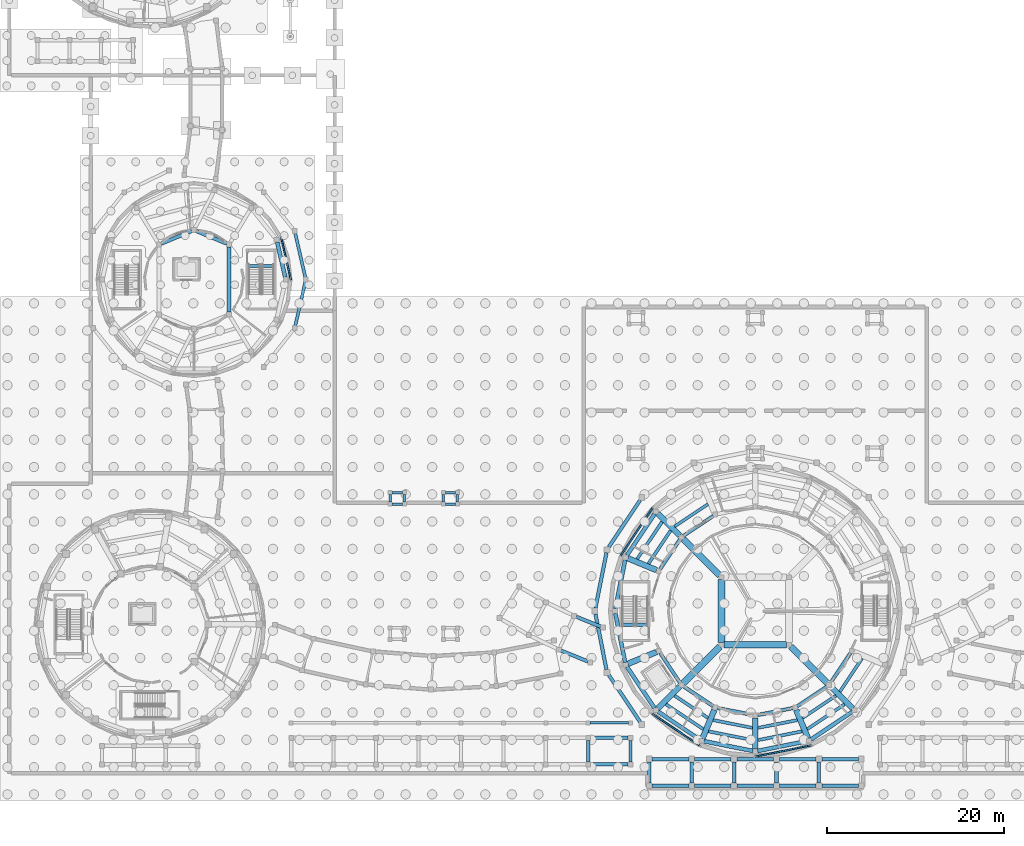
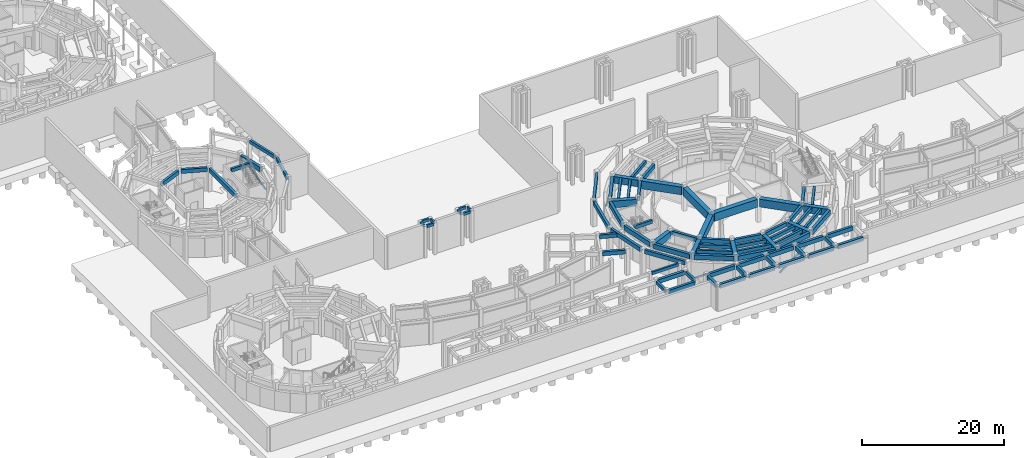
# One storey, part 16 of 57: 83 beams, 4 members.
"""IFC4 building model written with IfcOpenShell, lengths in metres."""

from ifc_helpers import new_model, si_unit, direction, frame, origin, origin_2d, place, context, subcontext, project, spatial, rectangle, extrude, material, material_profile, profile_set, type_object, element, save


model = new_model("IFC4")

# Units and contexts
model_context = context("Model", 3, precision=1e-05, world=origin(), true_north=direction((0.0, 1.0)))
body_context = subcontext(model_context, "Body", "Model", "MODEL_VIEW")
ifc_project = project(units=[si_unit("LENGTHUNIT", "METRE"), si_unit("AREAUNIT", "SQUARE_METRE"), si_unit("VOLUMEUNIT", "CUBIC_METRE"), si_unit("PLANEANGLEUNIT", "RADIAN"), si_unit("MASSUNIT", "GRAM", prefix="KILO")], contexts=[model_context])

# Site, building, storey
site_placement = place(None, origin())
site = spatial("IfcSite", under=ifc_project, at=site_placement, CompositionType="ELEMENT")
building_placement = place(site_placement, origin())
building = spatial("IfcBuilding", under=site, at=building_placement, Name="Aldenvaro Health Centre", CompositionType="ELEMENT")
storey_placement = place(building_placement, frame((0.0, 0.0, -4.550048828125)))
storey = spatial("IfcBuildingStorey", under=building, at=storey_placement, Name="B1", CompositionType="ELEMENT", Elevation=-4.550048828125)

# Beams
ifc_material_1 = material(Name="Concrete f'c 40 MPa", Category="concrete")
ifc_material_profile_1 = material_profile(ifc_material_1, rectangle(XDim=0.300048828125, YDim=0.47998046875, at=origin_2d()), Name="RC 300x480", Category="concrete")
ifc_profile_set_1 = profile_set([ifc_material_profile_1], Name="Concrete f'c 40 MPa")
beam_type_1 = type_object("IfcBeamType", Name="BM-RC-480", PredefinedType="LINTEL", material=ifc_profile_set_1)
for number, where, z_axis, x_axis, name in (
    (1, (45.925048828125, 32.10009765625, 5.239990234375), (1.0, 0.0, 0.0), (0.0, 1.0, 0.0), "Ramp 1 Landing Beam 1"),
    (2, (47.074951171875, 33.39990234375, 5.239990234375), (-1.0, 0.0, 0.0), (0.0, -1.0, 0.0), "Ramp 1 Landing Beam 2"),
):
    element("IfcBeam", number, at=place(storey_placement, frame(where, z_axis=z_axis, x_axis=x_axis)), inside=storey, type_object=beam_type_1, Name=name, PredefinedType="LINTEL", context=body_context, shape_type="SweptSolid", body=[
        extrude(rectangle(XDim=0.300048828125, YDim=0.47998046875, at=origin_2d()), origin(), (0.0, 0.0, 1.0), 1.14990234375),
    ])
for number, where, z_axis, x_axis, name in (
    (3, (45.699951171875, 32.324951171875, 5.239990234375), (0.0, 1.0, 0.0), (-1.0, 0.0, 0.0), "Ramp 1 Landing Beam 3"),
    (4, (47.300048828125, 32.324951171875, 5.239990234375), (0.0, 1.0, 0.0), (-1.0, 0.0, 0.0), "Ramp 1 Landing Beam 4"),
):
    element("IfcBeam", number, at=place(storey_placement, frame(where, z_axis=z_axis, x_axis=x_axis)), inside=storey, type_object=beam_type_1, Name=name, PredefinedType="LINTEL", context=body_context, shape_type="SweptSolid", body=[
        extrude(rectangle(XDim=0.300048828125, YDim=0.47998046875, at=origin_2d()), origin(), (0.0, 0.0, 1.0), 0.85009765625),
    ])
for number, where, z_axis, x_axis, name in (
    (5, (51.925048828125, 32.10009765625, 5.239990234375), (1.0, 0.0, 0.0), (0.0, 1.0, 0.0), "Ramp 2 Landing Beam 1"),
    (6, (53.074951171875, 33.39990234375, 5.239990234375), (-1.0, 0.0, 0.0), (0.0, -1.0, 0.0), "Ramp 2 Landing Beam 2"),
):
    element("IfcBeam", number, at=place(storey_placement, frame(where, z_axis=z_axis, x_axis=x_axis)), inside=storey, type_object=beam_type_1, Name=name, PredefinedType="LINTEL", context=body_context, shape_type="SweptSolid", body=[
        extrude(rectangle(XDim=0.300048828125, YDim=0.47998046875, at=origin_2d()), origin(), (0.0, 0.0, 1.0), 1.14990234375),
    ])
for number, where, z_axis, x_axis, name in (
    (7, (51.699951171875, 32.324951171875, 5.239990234375), (0.0, 1.0, 0.0), (-1.0, 0.0, 0.0), "Ramp 2 Landing Beam 3"),
    (8, (53.300048828125, 32.324951171875, 5.239990234375), (0.0, 1.0, 0.0), (-1.0, 0.0, 0.0), "Ramp 2 Landing Beam 4"),
):
    element("IfcBeam", number, at=place(storey_placement, frame(where, z_axis=z_axis, x_axis=x_axis)), inside=storey, type_object=beam_type_1, Name=name, PredefinedType="LINTEL", context=body_context, shape_type="SweptSolid", body=[
        extrude(rectangle(XDim=0.300048828125, YDim=0.47998046875, at=origin_2d()), origin(), (0.0, 0.0, 1.0), 0.85009765625),
    ])
beam_1_placement = place(storey_placement, frame((68.324951171875, 7.35009765625, 4.31005859375), z_axis=(1.0, 0.0, 0.0), x_axis=(0.0, 1.0, 0.0)))
element("IfcBeam", 9, at=beam_1_placement, inside=storey, type_object=beam_type_1, Name="Courtyard Screen W Grade Beam 8", PredefinedType="LINTEL", context=body_context, shape_type="SweptSolid", body=[
    extrude(rectangle(XDim=0.300048828125, YDim=0.47998046875, at=origin_2d()), origin(), (0.0, 0.0, 1.0), 4.35009765625),
])
ifc_material_profile_2 = material_profile(ifc_material_1, rectangle(XDim=0.35009765625, YDim=0.56005859375, at=origin_2d()), Name="RC 350x560", Category="concrete")
ifc_profile_set_2 = profile_set([ifc_material_profile_2], Name="Concrete f'c 40 MPa")
beam_type_2 = type_object("IfcBeamType", Name="BM-RC-560", PredefinedType="JOIST", material=ifc_profile_set_2)
for number, where, z_axis, x_axis, name in (
    (10, (81.64697265625, 32.090087890625, 3.85498046875), (-0.83143649145, -0.55561979868, 0.0), (0.55561979868, -0.83143649145, 0.0), "D1 B1 secondary joist 05.1"),
    (11, (77.427978515625, 29.12109375, 3.85498046875), (-0.55561979868, -0.83143649145, 0.0), (0.83143649145, -0.55561979868, 0.0), "D1 B1 secondary joist 06.1"),
):
    element("IfcBeam", number, at=place(storey_placement, frame(where, z_axis=z_axis, x_axis=x_axis)), inside=storey, type_object=beam_type_2, Name=name, PredefinedType="JOIST", context=body_context, shape_type="SweptSolid", body=[
        extrude(rectangle(XDim=0.35009765625, YDim=0.56005859375, at=origin_2d()), origin(), (0.0, 0.0, 1.0), 4.531982421875),
    ])
beam_2_placement = place(storey_placement, frame((76.451904296875, 30.096923828125, 3.85498046875), z_axis=(-0.555566613868, -0.831472030531, 0.0), x_axis=(0.831472030531, -0.555566613868, 0.0)))
element("IfcBeam", 12, at=beam_2_placement, inside=storey, type_object=beam_type_2, Name="D1 B1 secondary joist 06.2", PredefinedType="JOIST", context=body_context, shape_type="SweptSolid", body=[
    extrude(rectangle(XDim=0.35009765625, YDim=0.56005859375, at=origin_2d()), origin(), (0.0, 0.0, 1.0), 5.0703125),
])
beam_3_placement = place(storey_placement, frame((77.87890625, 10.427978515625, 3.85498046875), z_axis=(0.83143649145, -0.55561979868, 0.0), x_axis=(0.55561979868, 0.83143649145, 0.0)))
element("IfcBeam", 13, at=beam_3_placement, inside=storey, type_object=beam_type_2, Name="D1 B1 secondary joist 09.1", PredefinedType="JOIST", context=body_context, shape_type="SweptSolid", body=[
    extrude(rectangle(XDim=0.35009765625, YDim=0.56005859375, at=origin_2d()), origin(), (0.0, 0.0, 1.0), 4.531982421875),
])
beam_4_placement = place(storey_placement, frame((76.903076171875, 9.451904296875, 3.85498046875), z_axis=(0.831472030531, -0.555566613868, 0.0), x_axis=(0.555566613868, 0.831472030531, 0.0)))
element("IfcBeam", 14, at=beam_4_placement, inside=storey, type_object=beam_type_2, Name="D1 B1 secondary joist 09.2", PredefinedType="JOIST", context=body_context, shape_type="SweptSolid", body=[
    extrude(rectangle(XDim=0.35009765625, YDim=0.56005859375, at=origin_2d()), origin(), (0.0, 0.0, 1.0), 5.0703125),
])
beam_5_placement = place(storey_placement, frame((82.236083984375, 7.666015625, 3.85498046875), z_axis=(0.980789388514, -0.195069668011, 0.0), x_axis=(0.195069668011, 0.980789388514, 0.0)))
element("IfcBeam", 15, at=beam_5_placement, inside=storey, type_object=beam_type_2, Name="D1 B1 secondary joist 10.1", PredefinedType="JOIST", context=body_context, shape_type="SweptSolid", body=[
    extrude(rectangle(XDim=0.35009765625, YDim=0.56005859375, at=origin_2d()), origin(), (0.0, 0.0, 1.0), 4.531982421875),
])
beam_6_placement = place(storey_placement, frame((81.7080078125, 6.39111328125, 3.85498046875), z_axis=(0.980745146829, -0.195291978769, 0.0), x_axis=(0.195291978769, 0.980745146829, 0.0)))
element("IfcBeam", 16, at=beam_6_placement, inside=storey, type_object=beam_type_2, Name="D1 B1 secondary joist 10.2", PredefinedType="JOIST", context=body_context, shape_type="SweptSolid", body=[
    extrude(rectangle(XDim=0.35009765625, YDim=0.56005859375, at=origin_2d()), origin(), (0.0, 0.0, 1.0), 5.070556640625),
])
beam_7_placement = place(storey_placement, frame((87.319091796875, 6.781982421875, 3.85498046875), z_axis=(0.980789388514, 0.195069668011, 0.0), x_axis=(-0.195069668011, 0.980789388514, 0.0)))
element("IfcBeam", 17, at=beam_7_placement, inside=storey, type_object=beam_type_2, Name="D1 B1 secondary joist 11.1", PredefinedType="JOIST", context=body_context, shape_type="SweptSolid", body=[
    extrude(rectangle(XDim=0.35009765625, YDim=0.56005859375, at=origin_2d()), origin(), (0.0, 0.0, 1.0), 4.531982421875),
])
beam_8_placement = place(storey_placement, frame((87.319091796875, 5.40087890625, 3.85498046875), z_axis=(0.980745146829, 0.195291978769, 0.0), x_axis=(-0.195291978769, 0.980745146829, 0.0)))
element("IfcBeam", 18, at=beam_8_placement, inside=storey, type_object=beam_type_2, Name="D1 B1 secondary joist 11.2", PredefinedType="JOIST", context=body_context, shape_type="SweptSolid", body=[
    extrude(rectangle(XDim=0.35009765625, YDim=0.56005859375, at=origin_2d()), origin(), (0.0, 0.0, 1.0), 5.070556640625),
])
beam_9_placement = place(storey_placement, frame((92.35302734375, 7.909912109375, 3.85498046875), z_axis=(0.83143649145, 0.55561979868, 0.0), x_axis=(-0.55561979868, 0.83143649145, 0.0)))
element("IfcBeam", 19, at=beam_9_placement, inside=storey, type_object=beam_type_2, Name="D1 B1 secondary joist 12.1", PredefinedType="JOIST", context=body_context, shape_type="SweptSolid", body=[
    extrude(rectangle(XDim=0.35009765625, YDim=0.56005859375, at=origin_2d()), origin(), (0.0, 0.0, 1.0), 4.531982421875),
])
beam_10_placement = place(storey_placement, frame((92.881103515625, 6.635009765625, 3.85498046875), z_axis=(0.831472030531, 0.555566613868, 0.0), x_axis=(-0.555566613868, 0.831472030531, 0.0)))
element("IfcBeam", 20, at=beam_10_placement, inside=storey, type_object=beam_type_2, Name="D1 B1 secondary joist 12.2", PredefinedType="JOIST", context=body_context, shape_type="SweptSolid", body=[
    extrude(rectangle(XDim=0.35009765625, YDim=0.56005859375, at=origin_2d()), origin(), (0.0, 0.0, 1.0), 5.0703125),
])
beam_11_placement = place(storey_placement, frame((96.572021484375, 10.87890625, 3.85498046875), z_axis=(0.55561979868, 0.83143649145, 0.0), x_axis=(-0.83143649145, 0.55561979868, 0.0)))
element("IfcBeam", 21, at=beam_11_placement, inside=storey, type_object=beam_type_2, Name="D1 B1 secondary joist 13.1", PredefinedType="JOIST", context=body_context, shape_type="SweptSolid", body=[
    extrude(rectangle(XDim=0.35009765625, YDim=0.56005859375, at=origin_2d()), origin(), (0.0, 0.0, 1.0), 4.531982421875),
])
for number, where, z_axis, x_axis, name in (
    (22, (68.10009765625, 2.925048828125, 4.010009765625), (0.0, 1.0, 0.0), (-1.0, 0.0, 0.0), "South Stoa W Transverse Beam B1-8"),
    (23, (72.89990234375, 2.925048828125, 4.010009765625), (0.0, 1.0, 0.0), (-1.0, 0.0, 0.0), "South Stoa W Transverse Beam B1-9"),
):
    element("IfcBeam", number, at=place(storey_placement, frame(where, z_axis=z_axis, x_axis=x_axis)), inside=storey, type_object=beam_type_2, Name=name, PredefinedType="JOIST", context=body_context, shape_type="SweptSolid", body=[
        extrude(rectangle(XDim=0.35009765625, YDim=0.56005859375, at=origin_2d()), origin(), (0.0, 0.0, 1.0), 2.449951171875),
    ])
for number, where, z_axis, x_axis, name in (
    (24, (36.10107421875, 57.714111328125, 5.10009765625), (-0.222509356632, 0.974930554558, 0.0), (-0.974930554558, -0.222509356632, 0.0), "Garden Pavilion Peristyle Plinth Tie 01"),
    (25, (34.946044921875, 52.22509765625, 5.10009765625), (0.222509356632, 0.974930554558, 0.0), (-0.974930554558, 0.222509356632, 0.0), "Garden Pavilion Peristyle Plinth Tie 14"),
):
    element("IfcBeam", number, at=place(storey_placement, frame(where, z_axis=z_axis, x_axis=x_axis)), inside=storey, type_object=beam_type_2, Name=name, PredefinedType="JOIST", context=body_context, shape_type="SweptSolid", body=[
        extrude(rectangle(XDim=0.35009765625, YDim=0.56005859375, at=origin_2d()), origin(), (0.0, 0.0, 1.0), 5.19091796875),
    ])
for number, where, z_axis, x_axis, name in (
    (26, (74.85009765625, 18.449951171875, 4.27001953125), (-1.0, 0.0, 0.0), (0.0, -1.0, 0.0), "ST-01 L00 stair landing trimmer beam"),
    (27, (29.64990234375, 59.050048828125, 4.27001953125), (1.0, 0.0, 0.0), (0.0, 1.0, 0.0), "ST-05 L00 stair landing trimmer beam"),
):
    element("IfcBeam", number, at=place(storey_placement, frame(where, z_axis=z_axis, x_axis=x_axis)), inside=storey, type_object=beam_type_2, Name=name, PredefinedType="JOIST", context=body_context, shape_type="SweptSolid", body=[
        extrude(rectangle(XDim=0.35009765625, YDim=0.56005859375, at=origin_2d()), origin(), (0.0, 0.0, 1.0), 2.900146484375),
    ])
ifc_material_profile_3 = material_profile(ifc_material_1, rectangle(XDim=0.39990234375, YDim=0.679931640625, at=origin_2d()), Name="RC 400x680", Category="concrete")
ifc_profile_set_3 = profile_set([ifc_material_profile_3], Name="Concrete f'c 40 MPa")
beam_type_3 = type_object("IfcBeamType", Name="BM-RC-680", PredefinedType="BEAM", material=ifc_profile_set_3)
for number, where, z_axis, x_axis, name in (
    (28, (82.248046875, 30.76708984375, 3.795166015625), (-0.831504236767, -0.55551841035, 0.0), (0.55551841035, -0.831504236767, 0.0), "D1 B1 inner ring beam 05"),
    (29, (78.489013671875, 28.12890625, 3.795166015625), (-0.55551841035, -0.831504236767, 0.0), (0.831504236767, -0.55551841035, 0.0), "D1 B1 inner ring beam 06"),
    (30, (76.23291015625, 15.248046875, 3.795166015625), (0.55551841035, -0.831504236767, 0.0), (0.831504236767, 0.55551841035, 0.0), "D1 B1 inner ring beam 08"),
    (31, (78.87109375, 11.489013671875, 3.795166015625), (0.831504236767, -0.55551841035, 0.0), (0.55551841035, 0.831504236767, 0.0), "D1 B1 inner ring beam 09"),
):
    element("IfcBeam", number, at=place(storey_placement, frame(where, z_axis=z_axis, x_axis=x_axis)), inside=storey, type_object=beam_type_3, Name=name, PredefinedType="BEAM", context=body_context, shape_type="SweptSolid", body=[
        extrude(rectangle(XDim=0.39990234375, YDim=0.679931640625, at=origin_2d()), origin(), (0.0, 0.0, 1.0), 4.061279296875),
    ])
for number, where, z_axis, x_axis, name in (
    (32, (82.7470703125, 9.02587890625, 3.795166015625), (0.980797430313, -0.19502923035, 0.0), (0.19502923035, 0.980797430313, 0.0), "D1 B1 inner ring beam 10"),
    (33, (87.27001953125, 8.23388671875, 3.795166015625), (0.980797430313, 0.19502923035, 0.0), (-0.19502923035, 0.980797430313, 0.0), "D1 B1 inner ring beam 11"),
):
    element("IfcBeam", number, at=place(storey_placement, frame(where, z_axis=z_axis, x_axis=x_axis)), inside=storey, type_object=beam_type_3, Name=name, PredefinedType="BEAM", context=body_context, shape_type="SweptSolid", body=[
        extrude(rectangle(XDim=0.39990234375, YDim=0.679931640625, at=origin_2d()), origin(), (0.0, 0.0, 1.0), 4.060791015625),
    ])
for number, where, z_axis, x_axis, name in (
    (34, (91.751953125, 9.23291015625, 3.795166015625), (0.831504236767, 0.55551841035, 0.0), (-0.55551841035, 0.831504236767, 0.0), "D1 B1 inner ring beam 12"),
    (35, (95.510986328125, 11.87109375, 3.795166015625), (0.55551841035, 0.831504236767, 0.0), (-0.831504236767, 0.55551841035, 0.0), "D1 B1 inner ring beam 13"),
):
    element("IfcBeam", number, at=place(storey_placement, frame(where, z_axis=z_axis, x_axis=x_axis)), inside=storey, type_object=beam_type_3, Name=name, PredefinedType="BEAM", context=body_context, shape_type="SweptSolid", body=[
        extrude(rectangle(XDim=0.39990234375, YDim=0.679931640625, at=origin_2d()), origin(), (0.0, 0.0, 1.0), 4.061279296875),
    ])
for number, where, z_axis, x_axis, name in (
    (36, (27.2060546875, 61.56494140625, 3.795166015625), (-0.923855963606, 0.38274032778, 0.0), (-0.38274032778, -0.923855963606, 0.0), "D3 B1 inner ring beam 01"),
    (37, (23.24609375, 62.9951171875, 3.795166015625), (-0.923855963606, -0.38274032778, 0.0), (0.38274032778, -0.923855963606, 0.0), "D3 B1 inner ring beam 02"),
):
    element("IfcBeam", number, at=place(storey_placement, frame(where, z_axis=z_axis, x_axis=x_axis)), inside=storey, type_object=beam_type_3, Name=name, PredefinedType="BEAM", context=body_context, shape_type="SweptSolid", body=[
        extrude(rectangle(XDim=0.39990234375, YDim=0.679931640625, at=origin_2d()), origin(), (0.0, 0.0, 1.0), 3.736572265625),
    ])
beam_12_placement = place(storey_placement, frame((27.4599609375, 53.81494140625, 3.795166015625), z_axis=(0.0, 1.0, 0.0), x_axis=(-1.0, 0.0, 0.0)))
element("IfcBeam", 38, at=beam_12_placement, inside=storey, type_object=beam_type_3, Name="D3 B1 inner ring beam 06", PredefinedType="BEAM", context=body_context, shape_type="SweptSolid", body=[
    extrude(rectangle(XDim=0.39990234375, YDim=0.679931640625, at=origin_2d()), origin(), (0.0, 0.0, 1.0), 7.3701171875),
])
beam_13_placement = place(storey_placement, frame((66.7548828125, 19.35400390625, 3.949951171875), z_axis=(0.927172074398, -0.374635749036, 0.0), x_axis=(0.374635749036, 0.927172074398, 0.0)))
element("IfcBeam", 39, at=beam_13_placement, inside=storey, type_object=beam_type_3, Name="Colonnade Architrave Beam IN 03", PredefinedType="BEAM", context=body_context, shape_type="SweptSolid", body=[
    extrude(rectangle(XDim=0.39990234375, YDim=0.679931640625, at=origin_2d()), origin(), (0.0, 0.0, 1.0), 2.96826171875),
])
beam_14_placement = place(storey_placement, frame((65.047119140625, 15.51708984375, 3.949951171875), z_axis=(0.927242836854, -0.374460574031, 0.0), x_axis=(0.374460574031, 0.927242836854, 0.0)))
element("IfcBeam", 40, at=beam_14_placement, inside=storey, type_object=beam_type_3, Name="Colonnade Architrave Beam OUT 03", PredefinedType="BEAM", context=body_context, shape_type="SweptSolid", body=[
    extrude(rectangle(XDim=0.39990234375, YDim=0.679931640625, at=origin_2d()), origin(), (0.0, 0.0, 1.0), 3.26123046875),
])
for number, where, z_axis, x_axis, name in (
    (41, (75.0, 0.574951171875, 3.989990234375), (0.0, 1.0, 0.0), (-1.0, 0.0, 0.0), "Portico Substructure Tie Beam 1"),
    (42, (79.800048828125, 0.574951171875, 3.989990234375), (0.0, 1.0, 0.0), (-1.0, 0.0, 0.0), "Portico Substructure Tie Beam 2"),
    (43, (84.60009765625, 0.574951171875, 3.989990234375), (0.0, 1.0, 0.0), (-1.0, 0.0, 0.0), "Portico Substructure Tie Beam 3"),
    (44, (89.39990234375, 0.574951171875, 3.989990234375), (0.0, 1.0, 0.0), (-1.0, 0.0, 0.0), "Portico Substructure Tie Beam 4"),
    (45, (94.199951171875, 0.574951171875, 3.989990234375), (0.0, 1.0, 0.0), (-1.0, 0.0, 0.0), "Portico Substructure Tie Beam 5"),
):
    element("IfcBeam", number, at=place(storey_placement, frame(where, z_axis=z_axis, x_axis=x_axis)), inside=storey, type_object=beam_type_3, Name=name, PredefinedType="BEAM", context=body_context, shape_type="SweptSolid", body=[
        extrude(rectangle(XDim=0.39990234375, YDim=0.679931640625, at=origin_2d()), origin(), (0.0, 0.0, 1.0), 2.35009765625),
    ])
for number, where, z_axis, x_axis, name in (
    (46, (75.324951171875, 0.25, 3.989990234375), (1.0, 0.0, 0.0), (0.0, 1.0, 0.0), "Portico Plaza Grade Beam 1.1"),
    (47, (75.324951171875, 3.25, 3.989990234375), (1.0, 0.0, 0.0), (0.0, 1.0, 0.0), "Portico Plaza Grade Beam 1.2"),
):
    element("IfcBeam", number, at=place(storey_placement, frame(where, z_axis=z_axis, x_axis=x_axis)), inside=storey, type_object=beam_type_3, Name=name, PredefinedType="BEAM", context=body_context, shape_type="SweptSolid", body=[
        extrude(rectangle(XDim=0.39990234375, YDim=0.679931640625, at=origin_2d()), origin(), (0.0, 0.0, 1.0), 4.150146484375),
    ])
for number, where, z_axis, x_axis, name in (
    (48, (80.125, 0.25, 3.989990234375), (1.0, 0.0, 0.0), (0.0, 1.0, 0.0), "Portico Plaza Grade Beam 2.1"),
    (49, (80.125, 3.25, 3.989990234375), (1.0, 0.0, 0.0), (0.0, 1.0, 0.0), "Portico Plaza Grade Beam 2.2"),
    (50, (84.925048828125, 0.25, 3.989990234375), (1.0, 0.0, 0.0), (0.0, 1.0, 0.0), "Portico Plaza Grade Beam 3.1"),
    (51, (84.925048828125, 3.25, 3.989990234375), (1.0, 0.0, 0.0), (0.0, 1.0, 0.0), "Portico Plaza Grade Beam 3.2"),
    (52, (89.72509765625, 0.25, 3.989990234375), (1.0, 0.0, 0.0), (0.0, 1.0, 0.0), "Portico Plaza Grade Beam 4.1"),
    (53, (89.72509765625, 3.25, 3.989990234375), (1.0, 0.0, 0.0), (0.0, 1.0, 0.0), "Portico Plaza Grade Beam 4.2"),
):
    element("IfcBeam", number, at=place(storey_placement, frame(where, z_axis=z_axis, x_axis=x_axis)), inside=storey, type_object=beam_type_3, Name=name, PredefinedType="BEAM", context=body_context, shape_type="SweptSolid", body=[
        extrude(rectangle(XDim=0.39990234375, YDim=0.679931640625, at=origin_2d()), origin(), (0.0, 0.0, 1.0), 4.14990234375),
    ])
for number, where, z_axis, x_axis, name in (
    (54, (94.52490234375, 0.25, 3.989990234375), (1.0, 0.0, 0.0), (0.0, 1.0, 0.0), "Portico Plaza Grade Beam 5.1"),
    (55, (94.52490234375, 3.25, 3.989990234375), (1.0, 0.0, 0.0), (0.0, 1.0, 0.0), "Portico Plaza Grade Beam 5.2"),
):
    element("IfcBeam", number, at=place(storey_placement, frame(where, z_axis=z_axis, x_axis=x_axis)), inside=storey, type_object=beam_type_3, Name=name, PredefinedType="BEAM", context=body_context, shape_type="SweptSolid", body=[
        extrude(rectangle(XDim=0.39990234375, YDim=0.679931640625, at=origin_2d()), origin(), (0.0, 0.0, 1.0), 4.150146484375),
    ])
for number, where, z_axis, x_axis, name in (
    (56, (68.375, 2.64990234375, 3.949951171875), (1.0, 0.0, 0.0), (0.0, 1.0, 0.0), "South Stoa W Classical Architrave B1-8.1"),
    (57, (68.375, 5.64990234375, 3.949951171875), (1.0, 0.0, 0.0), (0.0, 1.0, 0.0), "South Stoa W Classical Architrave B1-8.2"),
):
    element("IfcBeam", number, at=place(storey_placement, frame(where, z_axis=z_axis, x_axis=x_axis)), inside=storey, type_object=beam_type_3, Name=name, PredefinedType="BEAM", context=body_context, shape_type="SweptSolid", body=[
        extrude(rectangle(XDim=0.39990234375, YDim=0.679931640625, at=origin_2d()), origin(), (0.0, 0.0, 1.0), 4.25),
    ])
beam_15_placement = place(storey_placement, frame((73.971923828125, 32.54296875, 4.090087890625), z_axis=(-0.555635655286, -0.831425894818, 0.0), x_axis=(0.831425894818, -0.555635655286, 0.0)))
element("IfcBeam", 58, at=beam_15_placement, inside=storey, type_object=beam_type_3, Name="Waiting Rotunda Peristyle Grade Ring 07", PredefinedType="BEAM", context=body_context, shape_type="SweptSolid", body=[
    extrude(rectangle(XDim=0.39990234375, YDim=0.679931640625, at=origin_2d()), origin(), (0.0, 0.0, 1.0), 6.381591796875),
])
for number, where, z_axis, x_axis, name in (
    (59, (70.1640625, 26.60302734375, 4.090087890625), (-0.195226015324, -0.980758279568, 0.0), (0.980758279568, -0.195226015324, 0.0), "Waiting Rotunda Peristyle Grade Ring 08"),
    (60, (68.91796875, 19.656982421875, 4.090087890625), (0.195226015324, -0.980758279568, 0.0), (0.980758279568, 0.195226015324, 0.0), "Waiting Rotunda Peristyle Grade Ring 09"),
):
    element("IfcBeam", number, at=place(storey_placement, frame(where, z_axis=z_axis, x_axis=x_axis)), inside=storey, type_object=beam_type_3, Name=name, PredefinedType="BEAM", context=body_context, shape_type="SweptSolid", body=[
        extrude(rectangle(XDim=0.39990234375, YDim=0.679931640625, at=origin_2d()), origin(), (0.0, 0.0, 1.0), 6.3828125),
    ])
beam_16_placement = place(storey_placement, frame((70.426025390625, 12.762939453125, 4.090087890625), z_axis=(0.555635655286, -0.831425894818, 0.0), x_axis=(0.831425894818, 0.555635655286, 0.0)))
element("IfcBeam", 61, at=beam_16_placement, inside=storey, type_object=beam_type_3, Name="Waiting Rotunda Peristyle Grade Ring 10", PredefinedType="BEAM", context=body_context, shape_type="SweptSolid", body=[
    extrude(rectangle(XDim=0.39990234375, YDim=0.679931640625, at=origin_2d()), origin(), (0.0, 0.0, 1.0), 6.381591796875),
])
ifc_material_profile_4 = material_profile(ifc_material_1, rectangle(XDim=0.449951171875, YDim=0.800048828125, at=origin_2d()), Name="RC 450x800", Category="concrete")
ifc_profile_set_4 = profile_set([ifc_material_profile_4], Name="Concrete f'c 40 MPa")
beam_type_4 = type_object("IfcBeamType", Name="BM-RC-800I", PredefinedType="SPANDREL", material=ifc_profile_set_4)
for number, where, z_axis, x_axis, name in (
    (62, (75.617919921875, 31.0, 3.735107421875), (-0.55550832154, -0.831510976897, 0.0), (0.831510976897, -0.55550832154, 0.0), "D1 B1 perimeter spandrel 07"),
    (63, (72.27490234375, 25.806884765625, 3.735107421875), (-0.195001561763, -0.98080293174, 0.0), (0.98080293174, -0.195001561763, 0.0), "D1 B1 perimeter spandrel 08"),
    (64, (71.174072265625, 19.72998046875, 3.735107421875), (0.195001561763, -0.98080293174, 0.0), (0.98080293174, 0.195001561763, 0.0), "D1 B1 perimeter spandrel 09"),
    (65, (72.48193359375, 13.694091796875, 3.735107421875), (0.55550832154, -0.831510976897, 0.0), (0.831510976897, 0.55550832154, 0.0), "D1 B1 perimeter spandrel 10"),
    (66, (76.0, 8.617919921875, 3.735107421875), (0.831510976897, -0.55550832154, 0.0), (0.55550832154, 0.831510976897, 0.0), "D1 B1 perimeter spandrel 11"),
    (67, (81.193115234375, 5.27490234375, 3.735107421875), (0.98080293174, -0.195001561763, 0.0), (0.195001561763, 0.98080293174, 0.0), "D1 B1 perimeter spandrel 12"),
    (68, (87.27001953125, 4.174072265625, 3.735107421875), (0.98080293174, 0.195001561763, 0.0), (-0.195001561763, 0.98080293174, 0.0), "D1 B1 perimeter spandrel 13"),
    (69, (93.305908203125, 5.48193359375, 3.735107421875), (0.831510976897, 0.55550832154, 0.0), (-0.55550832154, 0.831510976897, 0.0), "D1 B1 perimeter spandrel 14"),
):
    element("IfcBeam", number, at=place(storey_placement, frame(where, z_axis=z_axis, x_axis=x_axis)), inside=storey, type_object=beam_type_4, Name=name, PredefinedType="SPANDREL", context=body_context, shape_type="SweptSolid", body=[
        extrude(rectangle(XDim=0.449951171875, YDim=0.800048828125, at=origin_2d()), origin(), (0.0, 0.0, 1.0), 5.645263671875),
    ])
beam_17_placement = place(storey_placement, frame((33.819091796875, 57.76806640625, 3.735107421875), z_axis=(-0.222598403524, 0.97491022702, 0.0), x_axis=(-0.97491022702, -0.222598403524, 0.0)))
element("IfcBeam", 70, at=beam_17_placement, inside=storey, type_object=beam_type_4, Name="D3 B1 perimeter spandrel 01", PredefinedType="SPANDREL", context=body_context, shape_type="SweptSolid", body=[
    extrude(rectangle(XDim=0.449951171875, YDim=0.800048828125, at=origin_2d()), origin(), (0.0, 0.0, 1.0), 4.070068359375),
])
ifc_material_profile_5 = material_profile(ifc_material_1, rectangle(XDim=0.64990234375, YDim=1.14990234375, at=origin_2d()), Name="RC 650x1150", Category="concrete")
ifc_profile_set_5 = profile_set([ifc_material_profile_5], Name="Concrete f'c 40 MPa")
beam_type_5 = type_object("IfcBeamType", Name="BM-RC-TG1150", PredefinedType="BEAM", material=ifc_profile_set_5)
beam_18_placement = place(storey_placement, frame((78.447998046875, 28.552001953125, 3.56005859375), z_axis=(-0.707106781187, 0.707106781187, 0.0), x_axis=(-0.707106781187, -0.707106781187, 0.0)))
element("IfcBeam", 71, at=beam_18_placement, inside=storey, type_object=beam_type_5, Name="D1 B1 radial beam 06", PredefinedType="BEAM", context=body_context, shape_type="SweptSolid", body=[
    extrude(rectangle(XDim=0.64990234375, YDim=1.14990234375, at=origin_2d()), origin(), (0.0, 0.0, 1.0), 3.511474609375),
])
for number, where, z_axis, x_axis, name in (
    (72, (75.825927734375, 24.6279296875, 3.56005859375), (-0.923805717808, 0.382861588235, 0.0), (-0.382861588235, -0.923805717808, 0.0), "D1 B1 radial beam 07"),
    (73, (75.825927734375, 15.3720703125, 3.56005859375), (-0.923805717808, -0.382861588235, 0.0), (0.382861588235, -0.923805717808, 0.0), "D1 B1 radial beam 08"),
):
    element("IfcBeam", number, at=place(storey_placement, frame(where, z_axis=z_axis, x_axis=x_axis)), inside=storey, type_object=beam_type_5, Name=name, PredefinedType="BEAM", context=body_context, shape_type="SweptSolid", body=[
        extrude(rectangle(XDim=0.64990234375, YDim=1.14990234375, at=origin_2d()), origin(), (0.0, 0.0, 1.0), 3.510498046875),
    ])
beam_19_placement = place(storey_placement, frame((78.447998046875, 11.447998046875, 3.56005859375), z_axis=(-0.707106781187, -0.707106781187, 0.0), x_axis=(0.707106781187, -0.707106781187, 0.0)))
element("IfcBeam", 74, at=beam_19_placement, inside=storey, type_object=beam_type_5, Name="D1 B1 radial beam 09", PredefinedType="BEAM", context=body_context, shape_type="SweptSolid", body=[
    extrude(rectangle(XDim=0.64990234375, YDim=1.14990234375, at=origin_2d()), origin(), (0.0, 0.0, 1.0), 3.511474609375),
])
beam_20_placement = place(storey_placement, frame((82.3720703125, 8.825927734375, 3.56005859375), z_axis=(-0.382861588235, -0.923805717808, 0.0), x_axis=(0.923805717808, -0.382861588235, 0.0)))
element("IfcBeam", 75, at=beam_20_placement, inside=storey, type_object=beam_type_5, Name="D1 B1 radial beam 10", PredefinedType="BEAM", context=body_context, shape_type="SweptSolid", body=[
    extrude(rectangle(XDim=0.64990234375, YDim=1.14990234375, at=origin_2d()), origin(), (0.0, 0.0, 1.0), 3.510498046875),
])
beam_21_placement = place(storey_placement, frame((87.0, 7.905029296875, 3.56005859375), z_axis=(0.0, -1.0, 0.0), x_axis=(1.0, 0.0, 0.0)))
element("IfcBeam", 76, at=beam_21_placement, inside=storey, type_object=beam_type_5, Name="D1 B1 radial beam 11", PredefinedType="BEAM", context=body_context, shape_type="SweptSolid", body=[
    extrude(rectangle(XDim=0.64990234375, YDim=1.14990234375, at=origin_2d()), origin(), (0.0, 0.0, 1.0), 3.510009765625),
])
beam_22_placement = place(storey_placement, frame((91.6279296875, 8.825927734375, 3.56005859375), z_axis=(0.382861588235, -0.923805717808, 0.0), x_axis=(0.923805717808, 0.382861588235, 0.0)))
element("IfcBeam", 77, at=beam_22_placement, inside=storey, type_object=beam_type_5, Name="D1 B1 radial beam 12", PredefinedType="BEAM", context=body_context, shape_type="SweptSolid", body=[
    extrude(rectangle(XDim=0.64990234375, YDim=1.14990234375, at=origin_2d()), origin(), (0.0, 0.0, 1.0), 3.510498046875),
])
beam_23_placement = place(storey_placement, frame((95.552001953125, 11.447998046875, 3.56005859375), z_axis=(0.707106781187, -0.707106781187, 0.0), x_axis=(0.707106781187, 0.707106781187, 0.0)))
element("IfcBeam", 78, at=beam_23_placement, inside=storey, type_object=beam_type_5, Name="D1 B1 radial beam 13", PredefinedType="BEAM", context=body_context, shape_type="SweptSolid", body=[
    extrude(rectangle(XDim=0.64990234375, YDim=1.14990234375, at=origin_2d()), origin(), (0.0, 0.0, 1.0), 3.511474609375),
])
ifc_material_profile_6 = material_profile(ifc_material_1, rectangle(XDim=0.75, YDim=1.35009765625, at=origin_2d()), Name="RC 750x1350", Category="concrete")
ifc_profile_set_6 = profile_set([ifc_material_profile_6], Name="Concrete f'c 40 MPa")
beam_type_6 = type_object("IfcBeamType", Name="BM-RC-TG1350", PredefinedType="BEAM", material=ifc_profile_set_6)
beam_24_placement = place(storey_placement, frame((83.181884765625, 23.54296875, 3.4599609375), z_axis=(0.0, -1.0, 0.0), x_axis=(1.0, 0.0, 0.0)))
element("IfcBeam", 79, at=beam_24_placement, inside=storey, type_object=beam_type_6, Name="Transfer Girder TG-01 span 2", PredefinedType="BEAM", context=body_context, shape_type="SweptSolid", body=[
    extrude(rectangle(XDim=0.75, YDim=1.35009765625, at=origin_2d()), origin(), (0.0, 0.0, 1.0), 7.0859375),
])
beam_25_placement = place(storey_placement, frame((82.988037109375, 24.011962890625, 3.4599609375), z_axis=(-0.707106781187, 0.707106781187, 0.0), x_axis=(-0.707106781187, -0.707106781187, 0.0)))
element("IfcBeam", 80, at=beam_25_placement, inside=storey, type_object=beam_type_6, Name="Transfer Girder TG-01 radial 2", PredefinedType="BEAM", context=body_context, shape_type="SweptSolid", body=[
    extrude(rectangle(XDim=0.75, YDim=1.35009765625, at=origin_2d()), origin(), (0.0, 0.0, 1.0), 5.8720703125),
])
beam_26_placement = place(storey_placement, frame((83.45703125, 16.181884765625, 3.4599609375), z_axis=(1.0, 0.0, 0.0), x_axis=(0.0, 1.0, 0.0)))
element("IfcBeam", 81, at=beam_26_placement, inside=storey, type_object=beam_type_6, Name="Transfer Girder TG-01 span 3", PredefinedType="BEAM", context=body_context, shape_type="SweptSolid", body=[
    extrude(rectangle(XDim=0.75, YDim=1.35009765625, at=origin_2d()), origin(), (0.0, 0.0, 1.0), 7.0859375),
])
for number, where, z_axis, x_axis, name in (
    (82, (82.988037109375, 15.988037109375, 3.4599609375), (-0.707106781187, -0.707106781187, 0.0), (0.707106781187, -0.707106781187, 0.0), "Transfer Girder TG-01 radial 3"),
    (83, (91.011962890625, 15.988037109375, 3.4599609375), (0.707106781187, -0.707106781187, 0.0), (0.707106781187, 0.707106781187, 0.0), "Transfer Girder TG-01 radial 4"),
):
    element("IfcBeam", number, at=place(storey_placement, frame(where, z_axis=z_axis, x_axis=x_axis)), inside=storey, type_object=beam_type_6, Name=name, PredefinedType="BEAM", context=body_context, shape_type="SweptSolid", body=[
        extrude(rectangle(XDim=0.75, YDim=1.35009765625, at=origin_2d()), origin(), (0.0, 0.0, 1.0), 5.8720703125),
    ])

# Members
ifc_material_2 = material(Name="Glulam GL28h", Category="wood")
ifc_material_profile_7 = material_profile(ifc_material_2, rectangle(XDim=0.175048828125, YDim=0.26611328125, at=origin_2d()), Name="GL 175x266", Category="wood")
ifc_profile_set_7 = profile_set([ifc_material_profile_7], Name="Glulam GL28h")
member_type = type_object("IfcMemberType", Name="MEM-BR-266", PredefinedType="BRACE", material=ifc_profile_set_7)
for number, where, z_axis, x_axis, name in (
    (84, (75.35009765625, 31.6220703125, 0.16015625), (-0.502405654086, -0.751757968049, 0.427139925805), (0.831420032718, -0.555644426945, 0.0), "D1 B1 timber brace 7"),
    (85, (75.3779296875, 8.35009765625, 0.16015625), (0.751757968049, -0.502405654086, 0.427139925805), (0.555644426945, 0.831420032718, 0.0), "D1 B1 timber brace 11"),
):
    element("IfcMember", number, at=place(storey_placement, frame(where, z_axis=z_axis, x_axis=x_axis)), inside=storey, type_object=member_type, Name=name, PredefinedType="BRACE", context=body_context, shape_type="SweptSolid", body=[
        extrude(rectangle(XDim=0.175048828125, YDim=0.26611328125, at=origin_2d()), origin(), (0.0, 0.0, 1.0), 7.058349609375),
    ])
member_1_placement = place(storey_placement, frame((87.02001953125, 3.5439453125, 0.16015625), z_axis=(0.886799592716, 0.176412135697, 0.427159502689), x_axis=(-0.195108120058, 0.980781739985, 0.0)))
element("IfcMember", 86, at=member_1_placement, inside=storey, type_object=member_type, Name="D1 B1 timber brace 13", PredefinedType="BRACE", context=body_context, shape_type="SweptSolid", body=[
    extrude(rectangle(XDim=0.175048828125, YDim=0.26611328125, at=origin_2d()), origin(), (0.0, 0.0, 1.0), 7.05810546875),
])
member_2_placement = place(storey_placement, frame((34.4560546875, 57.51904296875, 0.16015625), z_axis=(-0.188943457285, 0.827419886265, 0.528844685859), x_axis=(-0.974904833527, -0.222622023991, 0.0)))
element("IfcMember", 87, at=member_2_placement, inside=storey, type_object=member_type, Name="D3 B1 timber brace 1", PredefinedType="BRACE", context=body_context, shape_type="SweptSolid", body=[
    extrude(rectangle(XDim=0.175048828125, YDim=0.26611328125, at=origin_2d()), origin(), (0.0, 0.0, 1.0), 5.700927734375),
])

save(model, "model.ifc")
